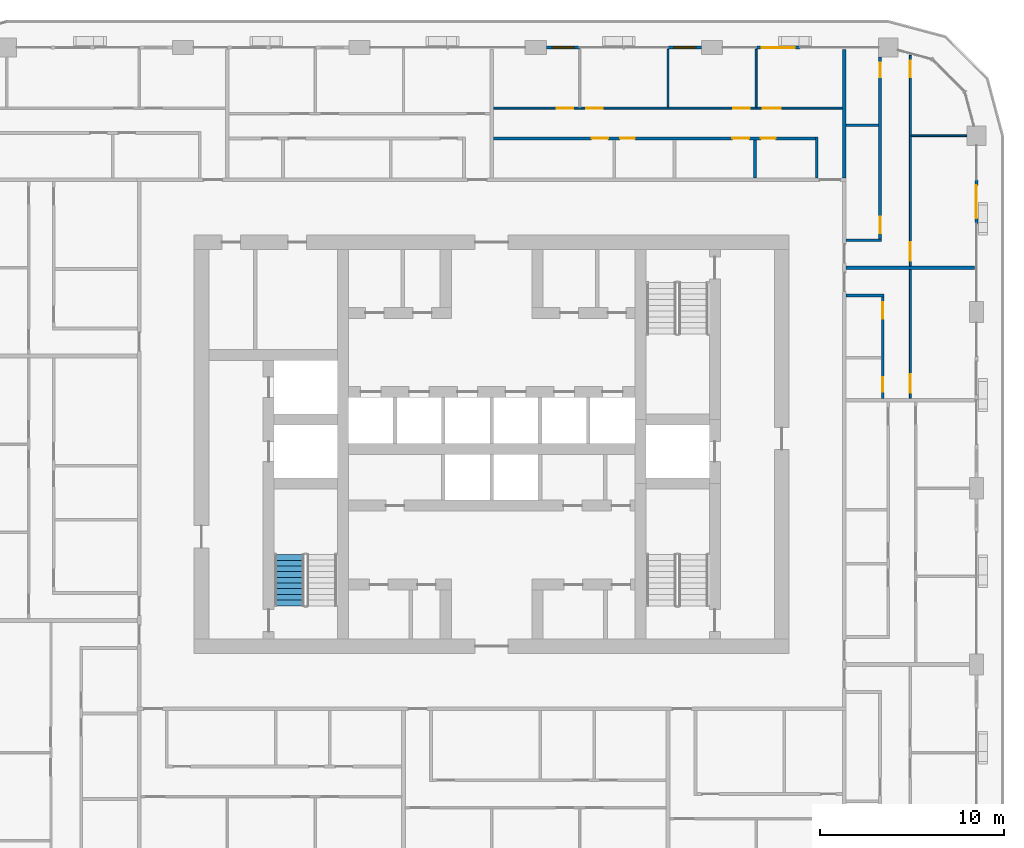
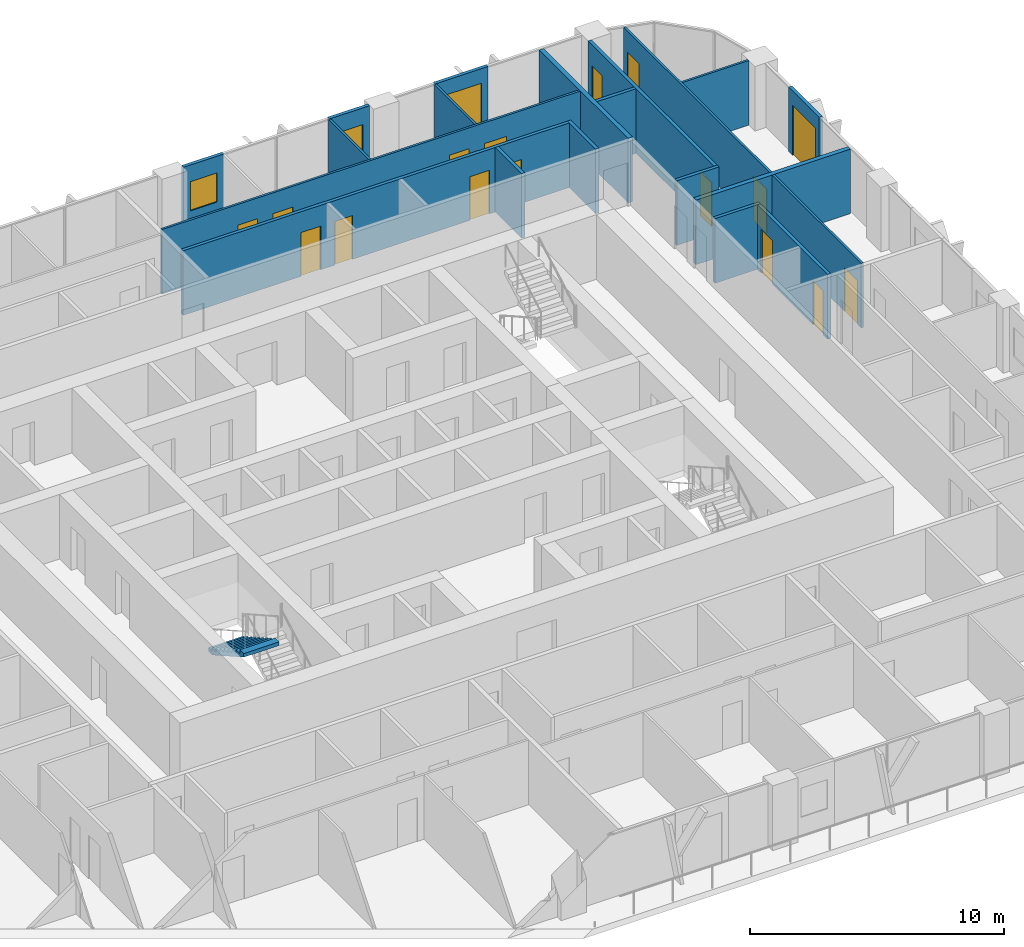
# One storey, part 15 of 22: 20 walls, 17 doors, 2 windows, 1 stair flight, 19 openings, 1 element without a shape of its own.
"""IFC4 building model written with IfcOpenShell, lengths in metres."""

from ifc_helpers import new_model, si_unit, direction, frame, frame_2d, origin, place, context, subcontext, project, spatial, polyline, rectangle, outline, extrude, material, layer, layer_set, type_object, element, fill, aggregate, save


model = new_model("IFC4")

# Units and contexts
model_context = context("Model", 3, precision=1e-05, world=origin(), true_north=direction((0.0, 1.0)))
body_context = subcontext(model_context, "Body", "Model", "MODEL_VIEW")
ifc_project = project(units=[si_unit("LENGTHUNIT", "METRE"), si_unit("AREAUNIT", "SQUARE_METRE"), si_unit("VOLUMEUNIT", "CUBIC_METRE"), si_unit("PLANEANGLEUNIT", "RADIAN"), si_unit("MASSUNIT", "GRAM", prefix="KILO")], contexts=[model_context])

# Site, building, storey
site_placement = place(None, origin())
site = spatial("IfcSite", under=ifc_project, at=site_placement, CompositionType="ELEMENT")
building_placement = place(site_placement, origin())
building = spatial("IfcBuilding", under=site, at=building_placement, Name="Madar Terraces", CompositionType="ELEMENT")
storey_placement = place(building_placement, frame((0.0, 0.0, 170.0)))
storey = spatial("IfcBuildingStorey", under=building, at=storey_placement, Name="L44", CompositionType="ELEMENT", Elevation=170.0)

# Wall, opening, door
ifc_material_1 = material(Name="Aluminium composite panel, black, over insulated backing", Category="aluminium")
ifc_layer_1 = layer(ifc_material_1, 0.14990234375)
ifc_layer_set_1 = layer_set([ifc_layer_1], Name="Facade bay panel 150")
wall_type_1 = type_object("IfcWallType", Name="Facade bay panel 150", PredefinedType="SOLIDWALL", material=ifc_layer_set_1)
wall_1_placement = place(storey_placement, frame((57.60009765625, 38.39990234375, 0.0), z_axis=(0.0, 0.0, 1.0), x_axis=(0.0, 1.0, 0.0)))
wall_1 = element("IfcWall", 1, at=wall_1_placement, inside=storey, type_object=wall_type_1, Name="Facade bay panel", PredefinedType="SOLIDWALL", context=body_context, shape_type="SweptSolid", body=[
    extrude(rectangle(XDim=2.400146484375, YDim=0.14990234375, at=frame_2d((1.2001953125, 0.0))), origin(), (0.0, 0.0, 1.0), 3.10009765625),
])
opening_1_placement = place(wall_1_placement, frame((0.300048828125, 0.0, 0.0)))
opening_1 = element("IfcOpeningElement", 2, at=opening_1_placement, cuts=wall_1, Name="Opening ED1", PredefinedType="OPENING", context=body_context, shape_type="SweptSolid", body=[
    extrude(rectangle(XDim=1.800048828125, YDim=2.39990234375, at=frame_2d((0.89990234375, 1.199951171875))), frame((0.0, 0.0849609375, 0.0), z_axis=(0.0, -1.0, 0.0), x_axis=(1.0, 0.0, 0.0)), (0.0, 0.0, 1.0), 0.169921875),
])
ifc_material_2 = material(Name="Glass, clear, with black aluminium frame", Category="aluminium")
door_type_1 = type_object("IfcDoorType", Name="Balcony and terrace sliding door 1800 x 2400", OperationType="SLIDING_TO_LEFT", PredefinedType="DOOR", material=ifc_material_2)
door_1_placement = place(opening_1_placement, origin())
door_1 = element("IfcDoor", 3, at=door_1_placement, inside=storey, type_object=door_type_1, Name="Balcony door", OperationType="SLIDING_TO_LEFT", OverallHeight=2.39990234375, OverallWidth=1.800048828125, PredefinedType="DOOR", context=body_context, shape_type="SweptSolid", body=[
    extrude(rectangle(XDim=1.800048828125, YDim=2.39990234375, at=frame_2d((0.89990234375, 1.199951171875))), frame((0.0, 0.02490234375, 0.0), z_axis=(0.0, -1.0, 0.0), x_axis=(1.0, 0.0, 0.0)), (0.0, 0.0, 1.0), 0.050048828125),
])
fill(opening_1, door_1)

wall_2_placement = place(storey_placement, frame((48.0, 48.0, 0.0), z_axis=(0.0, 0.0, 1.0), x_axis=(-1.0, 0.0, 0.0)))
wall_2 = element("IfcWall", 4, at=wall_2_placement, inside=storey, type_object=wall_type_1, Name="Facade bay panel", PredefinedType="SOLIDWALL", context=body_context, shape_type="SweptSolid", body=[
    extrude(rectangle(XDim=2.39990234375, YDim=0.14990234375, at=frame_2d((1.199951171875, 0.0))), origin(), (0.0, 0.0, 1.0), 3.10009765625),
])
opening_2_placement = place(wall_2_placement, frame((0.300048828125, 0.0, 0.0)))
opening_2 = element("IfcOpeningElement", 5, at=opening_2_placement, cuts=wall_2, Name="Opening ED1", PredefinedType="OPENING", context=body_context, shape_type="SweptSolid", body=[
    extrude(rectangle(XDim=1.800048828125, YDim=2.39990234375, at=frame_2d((0.89990234375, 1.199951171875))), frame((0.0, 0.0849609375, 0.0), z_axis=(0.0, -1.0, 0.0), x_axis=(1.0, 0.0, 0.0)), (0.0, 0.0, 1.0), 0.169921875),
])
door_2_placement = place(opening_2_placement, origin())
door_2 = element("IfcDoor", 6, at=door_2_placement, inside=storey, type_object=door_type_1, Name="Balcony door", OperationType="SLIDING_TO_RIGHT", OverallHeight=2.39990234375, OverallWidth=1.800048828125, PredefinedType="DOOR", context=body_context, shape_type="SweptSolid", body=[
    extrude(rectangle(XDim=1.800048828125, YDim=2.39990234375, at=frame_2d((0.89990234375, 1.199951171875))), frame((0.0, 0.02490234375, 0.0), z_axis=(0.0, -1.0, 0.0), x_axis=(1.0, 0.0, 0.0)), (0.0, 0.0, 1.0), 0.050048828125),
])
fill(opening_2, door_2)

# Wall, opening, window
wall_3_placement = place(storey_placement, frame((42.625, 48.0, 0.0), z_axis=(0.0, 0.0, 1.0), x_axis=(-1.0, 0.0, 0.0)))
wall_3 = element("IfcWall", 7, at=wall_3_placement, inside=storey, type_object=wall_type_1, Name="Facade bay panel", PredefinedType="SOLIDWALL", context=body_context, shape_type="SweptSolid", body=[
    extrude(rectangle(XDim=1.824951171875, YDim=0.14990234375, at=frame_2d((0.91259765625, 0.0))), origin(), (0.0, 0.0, 1.0), 3.10009765625),
])
opening_3_placement = place(wall_3_placement, frame((0.3125, 0.0, 0.89990234375)))
opening_3 = element("IfcOpeningElement", 8, at=opening_3_placement, cuts=wall_3, Name="Opening W1", PredefinedType="OPENING", context=body_context, shape_type="SweptSolid", body=[
    extrude(rectangle(XDim=1.199951171875, YDim=1.39990234375, at=frame_2d((0.60009765625, 0.699951171875))), frame((0.0, 0.0849609375, 0.0), z_axis=(0.0, -1.0, 0.0), x_axis=(1.0, 0.0, 0.0)), (0.0, 0.0, 1.0), 0.169921875),
])
ifc_material_3 = material(Name="Glass, clear, with black aluminium frame", Category="aluminium")
window_type = type_object("IfcWindowType", Name="Vent window 1200 x 1400", PartitioningType="SINGLE_PANEL", PredefinedType="WINDOW", material=ifc_material_3)
window_1_placement = place(opening_3_placement, origin())
window_1 = element("IfcWindow", 9, at=window_1_placement, inside=storey, type_object=window_type, Name="Operable vent window", OverallHeight=1.39990234375, OverallWidth=1.199951171875, PartitioningType="SINGLE_PANEL", PredefinedType="WINDOW", context=body_context, shape_type="SweptSolid", body=[
    extrude(rectangle(XDim=1.199951171875, YDim=1.39990234375, at=frame_2d((0.60009765625, 0.699951171875))), frame((0.0, 0.030029296875, 0.0), z_axis=(0.0, -1.0, 0.0), x_axis=(1.0, 0.0, 0.0)), (0.0, 0.0, 1.0), 0.06005859375),
])
fill(opening_3, window_1)

wall_4_placement = place(storey_placement, frame((36.0, 48.0, 0.0), z_axis=(0.0, 0.0, 1.0), x_axis=(-1.0, 0.0, 0.0)))
wall_4 = element("IfcWall", 10, at=wall_4_placement, inside=storey, type_object=wall_type_1, Name="Facade bay panel", PredefinedType="SOLIDWALL", context=body_context, shape_type="SweptSolid", body=[
    extrude(rectangle(XDim=1.824951171875, YDim=0.14990234375, at=frame_2d((0.91259765625, 0.0))), origin(), (0.0, 0.0, 1.0), 3.10009765625),
])
opening_4_placement = place(wall_4_placement, frame((0.3125, 0.0, 0.89990234375)))
opening_4 = element("IfcOpeningElement", 11, at=opening_4_placement, cuts=wall_4, Name="Opening W1", PredefinedType="OPENING", context=body_context, shape_type="SweptSolid", body=[
    extrude(rectangle(XDim=1.199951171875, YDim=1.39990234375, at=frame_2d((0.60009765625, 0.699951171875))), frame((0.0, 0.0849609375, 0.0), z_axis=(0.0, -1.0, 0.0), x_axis=(1.0, 0.0, 0.0)), (0.0, 0.0, 1.0), 0.169921875),
])
window_2_placement = place(opening_4_placement, origin())
window_2 = element("IfcWindow", 12, at=window_2_placement, inside=storey, type_object=window_type, Name="Operable vent window", OverallHeight=1.39990234375, OverallWidth=1.199951171875, PartitioningType="SINGLE_PANEL", PredefinedType="WINDOW", context=body_context, shape_type="SweptSolid", body=[
    extrude(rectangle(XDim=1.199951171875, YDim=1.39990234375, at=frame_2d((0.60009765625, 0.699951171875))), frame((0.0, 0.030029296875, 0.0), z_axis=(0.0, -1.0, 0.0), x_axis=(1.0, 0.0, 0.0)), (0.0, 0.0, 1.0), 0.06005859375),
])
fill(opening_4, window_2)

# Wall, opening, door
ifc_material_4 = material(Name="Gypsum board on steel studs", Category="steel")
ifc_layer_2 = layer(ifc_material_4, 0.10009765625)
ifc_layer_set_2 = layer_set([ifc_layer_2], Name="Flat partition 100")
wall_type_2 = type_object("IfcWallType", Name="Flat partition 100", PredefinedType="PARTITIONING", material=ifc_layer_set_2)
wall_5_placement = place(storey_placement, frame((54.0, 35.89990234375, 0.0), z_axis=(0.0, 0.0, 1.0), x_axis=(0.0, -1.0, 0.0)))
wall_5 = element("IfcWall", 13, at=wall_5_placement, inside=storey, type_object=wall_type_2, Name="Flat partition 100", PredefinedType="PARTITIONING", context=body_context, shape_type="SweptSolid", body=[
    extrude(rectangle(XDim=7.0, YDim=0.10009765625, at=frame_2d((3.5, 0.0))), origin(), (0.0, 0.0, 1.0), 3.10009765625),
])
opening_5_placement = place(wall_5_placement, frame((5.699951171875, 0.0, 0.0)))
opening_5 = element("IfcOpeningElement", 14, at=opening_5_placement, cuts=wall_5, Name="Opening D3", PredefinedType="OPENING", context=body_context, shape_type="SweptSolid", body=[
    extrude(rectangle(XDim=1.0, YDim=2.10009765625, at=frame_2d((0.5, 1.050048828125))), frame((0.0, 0.06005859375, 0.0), z_axis=(0.0, -1.0, 0.0), x_axis=(1.0, 0.0, 0.0)), (0.0, 0.0, 1.0), 0.1201171875),
])
ifc_material_5 = material(Name="Timber door leaf", Category="wood")
door_type_2 = type_object("IfcDoorType", Name="Flat living room door 1000", OperationType="NOTDEFINED", PredefinedType="DOOR", material=ifc_material_5)
door_3_placement = place(opening_5_placement, origin())
door_3 = element("IfcDoor", 15, at=door_3_placement, inside=storey, type_object=door_type_2, Name="Flat living room door 1000", OperationType="SINGLE_SWING_RIGHT", OverallHeight=2.10009765625, OverallWidth=1.0, PredefinedType="DOOR", context=body_context, shape_type="SweptSolid", body=[
    extrude(rectangle(XDim=1.0, YDim=2.10009765625, at=frame_2d((0.5, 1.050048828125))), frame((0.0, 0.02490234375, 0.0), z_axis=(0.0, -1.0, 0.0), x_axis=(1.0, 0.0, 0.0)), (0.0, 0.0, 1.0), 0.050048828125),
])
fill(opening_5, door_3)

# Wall
wall_6_placement = place(storey_placement, frame((54.050048828125, 43.199951171875, 0.0), z_axis=(0.0, 0.0, 1.0), x_axis=(1.0, 0.0, 0.0)))
element("IfcWall", 16, at=wall_6_placement, inside=storey, type_object=wall_type_2, Name="Flat partition 100", PredefinedType="PARTITIONING", context=body_context, shape_type="SweptSolid", body=[
    extrude(rectangle(XDim=3.02490234375, YDim=0.10009765625, at=frame_2d((1.512451171875, 0.0))), origin(), (0.0, 0.0, 1.0), 3.10009765625),
])

# Wall, openings, doors
wall_7_placement = place(storey_placement, frame((54.0, 47.57861328125, 0.0), z_axis=(0.0, 0.0, 1.0), x_axis=(0.0, -1.0, 0.0)))
wall_7 = element("IfcWall", 17, at=wall_7_placement, inside=storey, type_object=wall_type_2, Name="Flat partition 100", PredefinedType="PARTITIONING", context=body_context, shape_type="SweptSolid", body=[
    extrude(rectangle(XDim=11.478515625, YDim=0.10009765625, at=frame_2d((5.7392578125, 0.0))), origin(), (0.0, 0.0, 1.0), 3.10009765625),
])
opening_6_placement = place(wall_7_placement, frame((10.178466796875, 0.0, 0.0)))
opening_6 = element("IfcOpeningElement", 18, at=opening_6_placement, cuts=wall_7, Name="Opening D3", PredefinedType="OPENING", context=body_context, shape_type="SweptSolid", body=[
    extrude(rectangle(XDim=1.0, YDim=2.10009765625, at=frame_2d((0.5, 1.050048828125))), frame((0.0, 0.06005859375, 0.0), z_axis=(0.0, -1.0, 0.0), x_axis=(1.0, 0.0, 0.0)), (0.0, 0.0, 1.0), 0.1201171875),
])
opening_7_placement = place(wall_7_placement, frame((0.300048828125, 0.0, 0.0)))
opening_7 = element("IfcOpeningElement", 19, at=opening_7_placement, cuts=wall_7, Name="Opening D2", PredefinedType="OPENING", context=body_context, shape_type="SweptSolid", body=[
    extrude(rectangle(XDim=0.89990234375, YDim=2.10009765625, at=frame_2d((0.449951171875, 1.050048828125))), frame((0.0, 0.06005859375, 0.0), z_axis=(0.0, -1.0, 0.0), x_axis=(1.0, 0.0, 0.0)), (0.0, 0.0, 1.0), 0.1201171875),
])
door_4_placement = place(opening_6_placement, origin())
door_4 = element("IfcDoor", 20, at=door_4_placement, inside=storey, type_object=door_type_2, Name="Flat living room door 1000", OperationType="SINGLE_SWING_RIGHT", OverallHeight=2.10009765625, OverallWidth=1.0, PredefinedType="DOOR", context=body_context, shape_type="SweptSolid", body=[
    extrude(rectangle(XDim=1.0, YDim=2.10009765625, at=frame_2d((0.5, 1.050048828125))), frame((0.0, 0.02490234375, 0.0), z_axis=(0.0, -1.0, 0.0), x_axis=(1.0, 0.0, 0.0)), (0.0, 0.0, 1.0), 0.050048828125),
])
fill(opening_6, door_4)
ifc_material_6 = material(Name="Timber door leaf", Category="wood")
door_type_3 = type_object("IfcDoorType", Name="Flat room door 900", OperationType="NOTDEFINED", PredefinedType="DOOR", material=ifc_material_6)
door_5_placement = place(opening_7_placement, origin())
door_5 = element("IfcDoor", 21, at=door_5_placement, inside=storey, type_object=door_type_3, Name="Flat room door 900", OperationType="SINGLE_SWING_LEFT", OverallHeight=2.10009765625, OverallWidth=0.89990234375, PredefinedType="DOOR", context=body_context, shape_type="SweptSolid", body=[
    extrude(rectangle(XDim=0.89990234375, YDim=2.10009765625, at=frame_2d((0.449951171875, 1.050048828125))), frame((0.0, 0.02490234375, 0.0), z_axis=(0.0, -1.0, 0.0), x_axis=(1.0, 0.0, 0.0)), (0.0, 0.0, 1.0), 0.050048828125),
])
fill(opening_7, door_5)

# Walls
for number, where, z_axis, x_axis, name in (
    (22, (45.60009765625, 44.75, 0.0), (0.0, 0.0, 1.0), (0.0, 1.0, 0.0), "Flat partition 100"),
    (23, (40.800048828125, 44.75, 0.0), (0.0, 0.0, 1.0), (0.0, 1.0, 0.0), "Flat partition 100"),
):
    element("IfcWall", number, at=place(storey_placement, frame(where, z_axis=z_axis, x_axis=x_axis)), inside=storey, type_object=wall_type_2, Name=name, PredefinedType="PARTITIONING", context=body_context, shape_type="SweptSolid", body=[
        extrude(rectangle(XDim=3.14990234375, YDim=0.10009765625, at=frame_2d((1.574951171875, 0.0))), origin(), (0.0, 0.0, 1.0), 3.10009765625),
    ])

# Wall, openings, doors
wall_8_placement = place(storey_placement, frame((31.300048828125, 44.699951171875, 0.0), z_axis=(0.0, 0.0, 1.0), x_axis=(1.0, 0.0, 0.0)))
wall_8 = element("IfcWall", 24, at=wall_8_placement, inside=storey, type_object=wall_type_2, Name="Flat partition 100", PredefinedType="PARTITIONING", context=body_context, shape_type="SweptSolid", body=[
    extrude(rectangle(XDim=19.0, YDim=0.10009765625, at=frame_2d((9.5, 0.0))), origin(), (0.0, 0.0, 1.0), 3.10009765625),
])
opening_8_placement = place(wall_8_placement, frame((14.64990234375, 0.0, 0.0)))
opening_8 = element("IfcOpeningElement", 25, at=opening_8_placement, cuts=wall_8, Name="Opening D3", PredefinedType="OPENING", context=body_context, shape_type="SweptSolid", body=[
    extrude(rectangle(XDim=1.0, YDim=2.10009765625, at=frame_2d((0.5, 1.050048828125))), frame((0.0, 0.06005859375, 0.0), z_axis=(0.0, -1.0, 0.0), x_axis=(1.0, 0.0, 0.0)), (0.0, 0.0, 1.0), 0.1201171875),
])
opening_9_placement = place(wall_8_placement, frame((13.050048828125, 0.0, 0.0)))
opening_9 = element("IfcOpeningElement", 26, at=opening_9_placement, cuts=wall_8, Name="Opening D2", PredefinedType="OPENING", context=body_context, shape_type="SweptSolid", body=[
    extrude(rectangle(XDim=0.89990234375, YDim=2.10009765625, at=frame_2d((0.449951171875, 1.050048828125))), frame((0.0, 0.06005859375, 0.0), z_axis=(0.0, -1.0, 0.0), x_axis=(1.0, 0.0, 0.0)), (0.0, 0.0, 1.0), 0.1201171875),
])
opening_10_placement = place(wall_8_placement, frame((5.050048828125, 0.0, 0.0)))
opening_10 = element("IfcOpeningElement", 27, at=opening_10_placement, cuts=wall_8, Name="Opening D2", PredefinedType="OPENING", context=body_context, shape_type="SweptSolid", body=[
    extrude(rectangle(XDim=0.89990234375, YDim=2.10009765625, at=frame_2d((0.449951171875, 1.050048828125))), frame((0.0, 0.06005859375, 0.0), z_axis=(0.0, -1.0, 0.0), x_axis=(1.0, 0.0, 0.0)), (0.0, 0.0, 1.0), 0.1201171875),
])
opening_11_placement = place(wall_8_placement, frame((3.449951171875, 0.0, 0.0)))
opening_11 = element("IfcOpeningElement", 28, at=opening_11_placement, cuts=wall_8, Name="Opening D2", PredefinedType="OPENING", context=body_context, shape_type="SweptSolid", body=[
    extrude(rectangle(XDim=0.89990234375, YDim=2.10009765625, at=frame_2d((0.449951171875, 1.050048828125))), frame((0.0, 0.06005859375, 0.0), z_axis=(0.0, -1.0, 0.0), x_axis=(1.0, 0.0, 0.0)), (0.0, 0.0, 1.0), 0.1201171875),
])
door_6_placement = place(opening_8_placement, origin())
door_6 = element("IfcDoor", 29, at=door_6_placement, inside=storey, type_object=door_type_2, Name="Flat living room door 1000", OperationType="SINGLE_SWING_LEFT", OverallHeight=2.10009765625, OverallWidth=1.0, PredefinedType="DOOR", context=body_context, shape_type="SweptSolid", body=[
    extrude(rectangle(XDim=1.0, YDim=2.10009765625, at=frame_2d((0.5, 1.050048828125))), frame((0.0, 0.02490234375, 0.0), z_axis=(0.0, -1.0, 0.0), x_axis=(1.0, 0.0, 0.0)), (0.0, 0.0, 1.0), 0.050048828125),
])
fill(opening_8, door_6)
door_7_placement = place(opening_9_placement, origin())
door_7 = element("IfcDoor", 30, at=door_7_placement, inside=storey, type_object=door_type_3, Name="Flat room door 900", OperationType="SINGLE_SWING_RIGHT", OverallHeight=2.10009765625, OverallWidth=0.89990234375, PredefinedType="DOOR", context=body_context, shape_type="SweptSolid", body=[
    extrude(rectangle(XDim=0.89990234375, YDim=2.10009765625, at=frame_2d((0.449951171875, 1.050048828125))), frame((0.0, 0.02490234375, 0.0), z_axis=(0.0, -1.0, 0.0), x_axis=(1.0, 0.0, 0.0)), (0.0, 0.0, 1.0), 0.050048828125),
])
fill(opening_9, door_7)
door_8_placement = place(opening_10_placement, origin())
door_8 = element("IfcDoor", 31, at=door_8_placement, inside=storey, type_object=door_type_3, Name="Flat room door 900", OperationType="SINGLE_SWING_LEFT", OverallHeight=2.10009765625, OverallWidth=0.89990234375, PredefinedType="DOOR", context=body_context, shape_type="SweptSolid", body=[
    extrude(rectangle(XDim=0.89990234375, YDim=2.10009765625, at=frame_2d((0.449951171875, 1.050048828125))), frame((0.0, 0.02490234375, 0.0), z_axis=(0.0, -1.0, 0.0), x_axis=(1.0, 0.0, 0.0)), (0.0, 0.0, 1.0), 0.050048828125),
])
fill(opening_10, door_8)
door_9_placement = place(opening_11_placement, origin())
door_9 = element("IfcDoor", 32, at=door_9_placement, inside=storey, type_object=door_type_3, Name="Flat room door 900", OperationType="SINGLE_SWING_RIGHT", OverallHeight=2.10009765625, OverallWidth=0.89990234375, PredefinedType="DOOR", context=body_context, shape_type="SweptSolid", body=[
    extrude(rectangle(XDim=0.89990234375, YDim=2.10009765625, at=frame_2d((0.449951171875, 1.050048828125))), frame((0.0, 0.02490234375, 0.0), z_axis=(0.0, -1.0, 0.0), x_axis=(1.0, 0.0, 0.0)), (0.0, 0.0, 1.0), 0.050048828125),
])
fill(opening_11, door_9)

# Walls
ifc_material_7 = material(Name="Lightweight blockwork", Category="masonry")
ifc_layer_3 = layer(ifc_material_7, 0.199951171875)
ifc_layer_set_3 = layer_set([ifc_layer_3], Name="Flat party and entrance wall 200")
wall_type_3 = type_object("IfcWallType", Name="Flat party and entrance wall 200", PredefinedType="PARTITIONING", material=ifc_layer_set_3)
for number, where, z_axis, x_axis, name in (
    (33, (50.5, 36.0, 0.0), (0.0, 0.0, 1.0), (1.0, 0.0, 0.0), "Flat party and entrance wall 200"),
    (34, (50.39990234375, 40.89990234375, 0.0), (0.0, 0.0, 1.0), (0.0, 1.0, 0.0), "Flat party and entrance wall 200"),
):
    element("IfcWall", number, at=place(storey_placement, frame(where, z_axis=z_axis, x_axis=x_axis)), inside=storey, type_object=wall_type_3, Name=name, PredefinedType="PARTITIONING", context=body_context, shape_type="SweptSolid", body=[
        extrude(rectangle(XDim=7.0, YDim=0.199951171875, at=frame_2d((3.5, 0.0))), origin(), (0.0, 0.0, 1.0), 3.10009765625),
    ])
ifc_material_8 = material(Name="Lightweight blockwork", Category="masonry")
ifc_layer_4 = layer(ifc_material_8, 0.14990234375)
ifc_layer_set_4 = layer_set([ifc_layer_4], Name="Flat wet-room partition 150")
wall_type_4 = type_object("IfcWallType", Name="Flat wet-room partition 150", PredefinedType="PARTITIONING", material=ifc_layer_set_4)
wall_9_placement = place(storey_placement, frame((50.5, 34.5, 0.0), z_axis=(0.0, 0.0, 1.0), x_axis=(1.0, 0.0, 0.0)))
element("IfcWall", 35, at=wall_9_placement, inside=storey, type_object=wall_type_4, Name="Flat wet-room partition 150", PredefinedType="PARTITIONING", context=body_context, shape_type="SweptSolid", body=[
    extrude(rectangle(XDim=2.074951171875, YDim=0.14990234375, at=frame_2d((1.03759765625, 0.0))), origin(), (0.0, 0.0, 1.0), 3.10009765625),
])

# Wall, openings, doors
wall_10_placement = place(storey_placement, frame((52.5, 28.89990234375, 0.0), z_axis=(0.0, 0.0, 1.0), x_axis=(0.0, 1.0, 0.0)))
wall_10 = element("IfcWall", 36, at=wall_10_placement, inside=storey, type_object=wall_type_4, Name="Flat wet-room partition 150", PredefinedType="PARTITIONING", context=body_context, shape_type="SweptSolid", body=[
    extrude(rectangle(XDim=5.525146484375, YDim=0.14990234375, at=frame_2d((2.7626953125, 0.0))), origin(), (0.0, 0.0, 1.0), 3.10009765625),
])
opening_12_placement = place(wall_10_placement, frame((4.324951171875, 0.0, 0.0)))
opening_12 = element("IfcOpeningElement", 37, at=opening_12_placement, cuts=wall_10, Name="Opening D2", PredefinedType="OPENING", context=body_context, shape_type="SweptSolid", body=[
    extrude(rectangle(XDim=0.89990234375, YDim=2.10009765625, at=frame_2d((0.449951171875, 1.050048828125))), frame((0.0, 0.0849609375, 0.0), z_axis=(0.0, -1.0, 0.0), x_axis=(1.0, 0.0, 0.0)), (0.0, 0.0, 1.0), 0.169921875),
])
opening_13_placement = place(wall_10_placement, frame((0.35009765625, 0.0, 0.0)))
opening_13 = element("IfcOpeningElement", 38, at=opening_13_placement, cuts=wall_10, Name="Opening D4", PredefinedType="OPENING", context=body_context, shape_type="SweptSolid", body=[
    extrude(rectangle(XDim=0.800048828125, YDim=2.10009765625, at=frame_2d((0.39990234375, 1.050048828125))), frame((0.0, 0.0849609375, 0.0), z_axis=(0.0, -1.0, 0.0), x_axis=(1.0, 0.0, 0.0)), (0.0, 0.0, 1.0), 0.169921875),
])
ifc_material_9 = material(Name="Timber door leaf", Category="wood")
door_type_4 = type_object("IfcDoorType", Name="Flat bathroom door 800", OperationType="NOTDEFINED", PredefinedType="DOOR", material=ifc_material_9)
door_10_placement = place(opening_13_placement, origin())
door_10 = element("IfcDoor", 39, at=door_10_placement, inside=storey, type_object=door_type_4, Name="Flat bathroom door 800", OperationType="SINGLE_SWING_LEFT", OverallHeight=2.10009765625, OverallWidth=0.800048828125, PredefinedType="DOOR", context=body_context, shape_type="SweptSolid", body=[
    extrude(rectangle(XDim=0.800048828125, YDim=2.10009765625, at=frame_2d((0.39990234375, 1.050048828125))), frame((0.0, 0.02490234375, 0.0), z_axis=(0.0, -1.0, 0.0), x_axis=(1.0, 0.0, 0.0)), (0.0, 0.0, 1.0), 0.050048828125),
])
fill(opening_13, door_10)
door_11_placement = place(opening_12_placement, origin())
door_11 = element("IfcDoor", 40, at=door_11_placement, inside=storey, type_object=door_type_3, Name="Flat room door 900", OperationType="SINGLE_SWING_RIGHT", OverallHeight=2.10009765625, OverallWidth=0.89990234375, PredefinedType="DOOR", context=body_context, shape_type="SweptSolid", body=[
    extrude(rectangle(XDim=0.89990234375, YDim=2.10009765625, at=frame_2d((0.449951171875, 1.050048828125))), frame((0.0, 0.02490234375, 0.0), z_axis=(0.0, -1.0, 0.0), x_axis=(1.0, 0.0, 0.0)), (0.0, 0.0, 1.0), 0.050048828125),
])
fill(opening_12, door_11)

# Walls
wall_11_placement = place(storey_placement, frame((50.5, 43.77001953125, 0.0), z_axis=(0.0, 0.0, 1.0), x_axis=(1.0, 0.0, 0.0)))
element("IfcWall", 41, at=wall_11_placement, inside=storey, type_object=wall_type_4, Name="Flat wet-room partition 150", PredefinedType="PARTITIONING", context=body_context, shape_type="SweptSolid", body=[
    extrude(rectangle(XDim=1.77490234375, YDim=0.14990234375, at=frame_2d((0.887451171875, 0.0))), origin(), (0.0, 0.0, 1.0), 3.10009765625),
])
wall_12_placement = place(storey_placement, frame((50.5, 37.5, 0.0), z_axis=(0.0, 0.0, 1.0), x_axis=(1.0, 0.0, 0.0)))
element("IfcWall", 42, at=wall_12_placement, inside=storey, type_object=wall_type_4, Name="Flat wet-room partition 150", PredefinedType="PARTITIONING", context=body_context, shape_type="SweptSolid", body=[
    extrude(rectangle(XDim=1.925048828125, YDim=0.14990234375, at=frame_2d((0.96240234375, 0.0))), origin(), (0.0, 0.0, 1.0), 3.10009765625),
])

# Wall, openings, doors
wall_13_placement = place(storey_placement, frame((52.35009765625, 37.574951171875, 0.0), z_axis=(0.0, 0.0, 1.0), x_axis=(0.0, 1.0, 0.0)))
wall_13 = element("IfcWall", 43, at=wall_13_placement, inside=storey, type_object=wall_type_4, Name="Flat wet-room partition 150", PredefinedType="PARTITIONING", context=body_context, shape_type="SweptSolid", body=[
    extrude(rectangle(XDim=9.900146484375, YDim=0.14990234375, at=frame_2d((4.9501953125, 0.0))), origin(), (0.0, 0.0, 1.0), 3.10009765625),
])
opening_14_placement = place(wall_13_placement, frame((0.300048828125, 0.0, 0.0)))
opening_14 = element("IfcOpeningElement", 44, at=opening_14_placement, cuts=wall_13, Name="Opening D2", PredefinedType="OPENING", context=body_context, shape_type="SweptSolid", body=[
    extrude(rectangle(XDim=0.89990234375, YDim=2.10009765625, at=frame_2d((0.449951171875, 1.050048828125))), frame((0.0, 0.0849609375, 0.0), z_axis=(0.0, -1.0, 0.0), x_axis=(1.0, 0.0, 0.0)), (0.0, 0.0, 1.0), 0.169921875),
])
opening_15_placement = place(wall_13_placement, frame((8.800048828125, 0.0, 0.0)))
opening_15 = element("IfcOpeningElement", 45, at=opening_15_placement, cuts=wall_13, Name="Opening D4", PredefinedType="OPENING", context=body_context, shape_type="SweptSolid", body=[
    extrude(rectangle(XDim=0.800048828125, YDim=2.10009765625, at=frame_2d((0.39990234375, 1.050048828125))), frame((0.0, 0.0849609375, 0.0), z_axis=(0.0, -1.0, 0.0), x_axis=(1.0, 0.0, 0.0)), (0.0, 0.0, 1.0), 0.169921875),
])
door_12_placement = place(opening_15_placement, origin())
door_12 = element("IfcDoor", 46, at=door_12_placement, inside=storey, type_object=door_type_4, Name="Flat bathroom door 800", OperationType="SINGLE_SWING_RIGHT", OverallHeight=2.10009765625, OverallWidth=0.800048828125, PredefinedType="DOOR", context=body_context, shape_type="SweptSolid", body=[
    extrude(rectangle(XDim=0.800048828125, YDim=2.10009765625, at=frame_2d((0.39990234375, 1.050048828125))), frame((0.0, 0.02490234375, 0.0), z_axis=(0.0, -1.0, 0.0), x_axis=(1.0, 0.0, 0.0)), (0.0, 0.0, 1.0), 0.050048828125),
])
fill(opening_15, door_12)
door_13_placement = place(opening_14_placement, origin())
door_13 = element("IfcDoor", 47, at=door_13_placement, inside=storey, type_object=door_type_3, Name="Flat room door 900", OperationType="SINGLE_SWING_LEFT", OverallHeight=2.10009765625, OverallWidth=0.89990234375, PredefinedType="DOOR", context=body_context, shape_type="SweptSolid", body=[
    extrude(rectangle(XDim=0.89990234375, YDim=2.10009765625, at=frame_2d((0.449951171875, 1.050048828125))), frame((0.0, 0.02490234375, 0.0), z_axis=(0.0, -1.0, 0.0), x_axis=(1.0, 0.0, 0.0)), (0.0, 0.0, 1.0), 0.050048828125),
])
fill(opening_14, door_13)

# Walls
wall_14_placement = place(storey_placement, frame((45.5390625, 40.89990234375, 0.0), z_axis=(0.0, 0.0, 1.0), x_axis=(0.0, 1.0, 0.0)))
element("IfcWall", 48, at=wall_14_placement, inside=storey, type_object=wall_type_4, Name="Flat wet-room partition 150", PredefinedType="PARTITIONING", context=body_context, shape_type="SweptSolid", body=[
    extrude(rectangle(XDim=2.0751953125, YDim=0.14990234375, at=frame_2d((1.03759765625, 0.0))), origin(), (0.0, 0.0, 1.0), 3.10009765625),
])
wall_15_placement = place(storey_placement, frame((48.89990234375, 40.89990234375, 0.0), z_axis=(0.0, 0.0, 1.0), x_axis=(0.0, 1.0, 0.0)))
element("IfcWall", 49, at=wall_15_placement, inside=storey, type_object=wall_type_4, Name="Flat wet-room partition 150", PredefinedType="PARTITIONING", context=body_context, shape_type="SweptSolid", body=[
    extrude(rectangle(XDim=2.22509765625, YDim=0.14990234375, at=frame_2d((1.112548828125, 0.0))), origin(), (0.0, 0.0, 1.0), 3.10009765625),
])

# Wall, openings, doors
wall_16_placement = place(storey_placement, frame((48.824951171875, 43.050048828125, 0.0), z_axis=(0.0, 0.0, 1.0), x_axis=(-1.0, 0.0, 0.0)))
wall_16 = element("IfcWall", 50, at=wall_16_placement, inside=storey, type_object=wall_type_4, Name="Flat wet-room partition 150", PredefinedType="PARTITIONING", context=body_context, shape_type="SweptSolid", body=[
    extrude(rectangle(XDim=17.52490234375, YDim=0.14990234375, at=frame_2d((8.762451171875, 0.0))), origin(), (0.0, 0.0, 1.0), 3.10009765625),
])
opening_16_placement = place(wall_16_placement, frame((2.160888671875, 0.0, 0.0)))
opening_16 = element("IfcOpeningElement", 51, at=opening_16_placement, cuts=wall_16, Name="Opening D4", PredefinedType="OPENING", context=body_context, shape_type="SweptSolid", body=[
    extrude(rectangle(XDim=0.800048828125, YDim=2.10009765625, at=frame_2d((0.39990234375, 1.050048828125))), frame((0.0, 0.0849609375, 0.0), z_axis=(0.0, -1.0, 0.0), x_axis=(1.0, 0.0, 0.0)), (0.0, 0.0, 1.0), 0.169921875),
])
opening_17_placement = place(wall_16_placement, frame((3.61083984375, 0.0, 0.0)))
opening_17 = element("IfcOpeningElement", 52, at=opening_17_placement, cuts=wall_16, Name="Opening D5", PredefinedType="OPENING", context=body_context, shape_type="SweptSolid", body=[
    extrude(rectangle(XDim=0.89990234375, YDim=2.10009765625, at=frame_2d((0.449951171875, 1.050048828125))), frame((0.0, 0.0849609375, 0.0), z_axis=(0.0, -1.0, 0.0), x_axis=(1.0, 0.0, 0.0)), (0.0, 0.0, 1.0), 0.169921875),
])
opening_18_placement = place(wall_16_placement, frame((9.827880859375, 0.0, 0.0)))
opening_18 = element("IfcOpeningElement", 53, at=opening_18_placement, cuts=wall_16, Name="Opening D7", PredefinedType="OPENING", context=body_context, shape_type="SweptSolid", body=[
    extrude(rectangle(XDim=0.800048828125, YDim=2.10009765625, at=frame_2d((0.39990234375, 1.050048828125))), frame((0.0, 0.0849609375, 0.0), z_axis=(0.0, -1.0, 0.0), x_axis=(1.0, 0.0, 0.0)), (0.0, 0.0, 1.0), 0.169921875),
])
opening_19_placement = place(wall_16_placement, frame((11.278076171875, 0.0, 0.0)))
opening_19 = element("IfcOpeningElement", 54, at=opening_19_placement, cuts=wall_16, Name="Opening D2", PredefinedType="OPENING", context=body_context, shape_type="SweptSolid", body=[
    extrude(rectangle(XDim=0.89990234375, YDim=2.10009765625, at=frame_2d((0.449951171875, 1.050048828125))), frame((0.0, 0.0849609375, 0.0), z_axis=(0.0, -1.0, 0.0), x_axis=(1.0, 0.0, 0.0)), (0.0, 0.0, 1.0), 0.169921875),
])
ifc_material_10 = material(Name="Timber door leaf", Category="wood")
door_type_5 = type_object("IfcDoorType", Name="Flat accessible bathroom door 900", OperationType="NOTDEFINED", PredefinedType="DOOR", material=ifc_material_10)
door_14_placement = place(opening_17_placement, origin())
door_14 = element("IfcDoor", 55, at=door_14_placement, inside=storey, type_object=door_type_5, Name="Flat accessible bathroom door 900", OperationType="SINGLE_SWING_LEFT", OverallHeight=2.10009765625, OverallWidth=0.89990234375, PredefinedType="DOOR", context=body_context, shape_type="SweptSolid", body=[
    extrude(rectangle(XDim=0.89990234375, YDim=2.10009765625, at=frame_2d((0.449951171875, 1.050048828125))), frame((0.0, 0.02490234375, 0.0), z_axis=(0.0, -1.0, 0.0), x_axis=(1.0, 0.0, 0.0)), (0.0, 0.0, 1.0), 0.050048828125),
])
fill(opening_17, door_14)
door_15_placement = place(opening_16_placement, origin())
door_15 = element("IfcDoor", 56, at=door_15_placement, inside=storey, type_object=door_type_4, Name="Flat bathroom door 800", OperationType="SINGLE_SWING_RIGHT", OverallHeight=2.10009765625, OverallWidth=0.800048828125, PredefinedType="DOOR", context=body_context, shape_type="SweptSolid", body=[
    extrude(rectangle(XDim=0.800048828125, YDim=2.10009765625, at=frame_2d((0.39990234375, 1.050048828125))), frame((0.0, 0.02490234375, 0.0), z_axis=(0.0, -1.0, 0.0), x_axis=(1.0, 0.0, 0.0)), (0.0, 0.0, 1.0), 0.050048828125),
])
fill(opening_16, door_15)
door_16_placement = place(opening_19_placement, origin())
door_16 = element("IfcDoor", 57, at=door_16_placement, inside=storey, type_object=door_type_3, Name="Flat room door 900", OperationType="SINGLE_SWING_LEFT", OverallHeight=2.10009765625, OverallWidth=0.89990234375, PredefinedType="DOOR", context=body_context, shape_type="SweptSolid", body=[
    extrude(rectangle(XDim=0.89990234375, YDim=2.10009765625, at=frame_2d((0.449951171875, 1.050048828125))), frame((0.0, 0.02490234375, 0.0), z_axis=(0.0, -1.0, 0.0), x_axis=(1.0, 0.0, 0.0)), (0.0, 0.0, 1.0), 0.050048828125),
])
fill(opening_19, door_16)
ifc_material_11 = material(Name="Timber door leaf", Category="wood")
door_type_6 = type_object("IfcDoorType", Name="Flat utility door 800", OperationType="NOTDEFINED", PredefinedType="DOOR", material=ifc_material_11)
door_17_placement = place(opening_18_placement, origin())
door_17 = element("IfcDoor", 58, at=door_17_placement, inside=storey, type_object=door_type_6, Name="Flat utility door 800", OperationType="SINGLE_SWING_RIGHT", OverallHeight=2.10009765625, OverallWidth=0.800048828125, PredefinedType="DOOR", context=body_context, shape_type="SweptSolid", body=[
    extrude(rectangle(XDim=0.800048828125, YDim=2.10009765625, at=frame_2d((0.39990234375, 1.050048828125))), frame((0.0, 0.02490234375, 0.0), z_axis=(0.0, -1.0, 0.0), x_axis=(1.0, 0.0, 0.0)), (0.0, 0.0, 1.0), 0.050048828125),
])
fill(opening_18, door_17)

# Stair, stair flight
ifc_material_12 = material(Name="Concrete C50/60", Category="concrete")
stair_type = type_object("IfcStairType", Name="Stair ST1 protected exit", PredefinedType="HALF_TURN_STAIR", material=ifc_material_12)
stair_placement = place(storey_placement, origin())
stair = element("IfcStair", 59, at=stair_placement, inside=storey, type_object=stair_type, Name="L44 Protected Exit Stair ST1", PredefinedType="HALF_TURN_STAIR")
ifc_material_13 = material(Name="Concrete C50/60", Category="concrete")
stair_flight_type = type_object("IfcStairFlightType", Name="Stair flight ST1-F4, 1600 wide, 10 risers", PredefinedType="STRAIGHT", material=ifc_material_13)
stair_flight_placement = place(storey_placement, frame((20.199951171875, 20.389892578125, 1.75), z_axis=(0.0, 0.0, 1.0), x_axis=(0.0, -1.0, 0.0)))
stair_flight = element("IfcStairFlight", 60, at=stair_flight_placement, type_object=stair_flight_type, Name="ST1 flight 2", NumberOfRisers=10, NumberOfTreads=9, PredefinedType="STRAIGHT", RiserHeight=0.175, TreadLength=0.31, context=body_context, shape_type="SweptSolid", body=[
    extrude(outline(polyline([(0.0, 0.0), (0.0, 0.175048828125), (0.31005859375, 0.175048828125), (0.31005859375, 0.35009765625), (0.6201171875, 0.35009765625), (0.6201171875, 0.52490234375), (0.929931640625, 0.52490234375), (0.929931640625, 0.699951171875), (1.239990234375, 0.699951171875), (1.239990234375, 0.875), (1.550048828125, 0.875), (1.550048828125, 1.050048828125), (1.860107421875, 1.050048828125), (1.860107421875, 1.22509765625), (2.169921875, 1.22509765625), (2.169921875, 1.39990234375), (2.47998046875, 1.39990234375), (2.47998046875, 1.574951171875), (2.7900390625, 1.574951171875), (2.7900390625, 1.75), (2.7900390625, 1.40283203125), (0.304931640625, 0.0), (0.0, 0.0)])), frame((0.0, 0.800048828125, 0.0), z_axis=(0.0, -1.0, 0.0), x_axis=(1.0, 0.0, 0.0)), (0.0, 0.0, 1.0), 1.60009765625),
])
aggregate(stair, [stair_flight])

save(model, "model.ifc")
